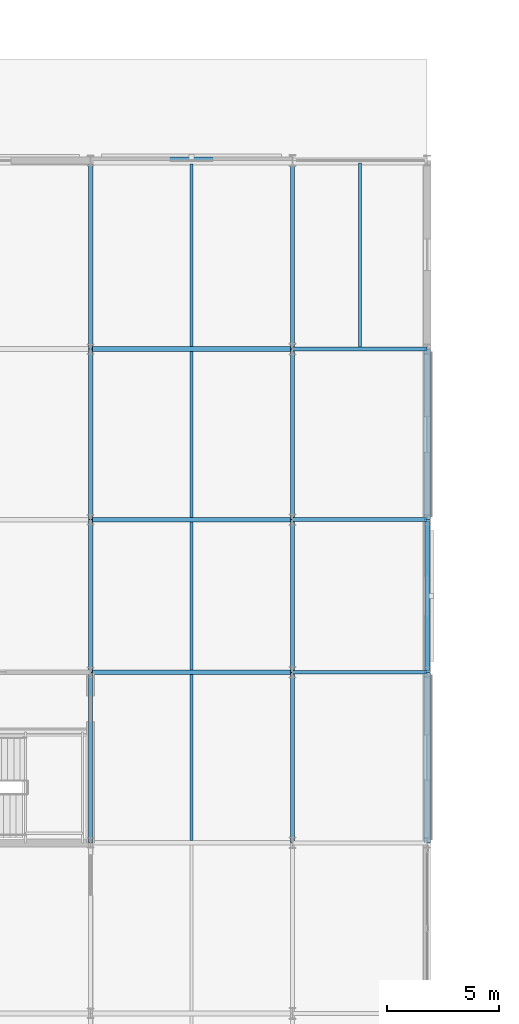
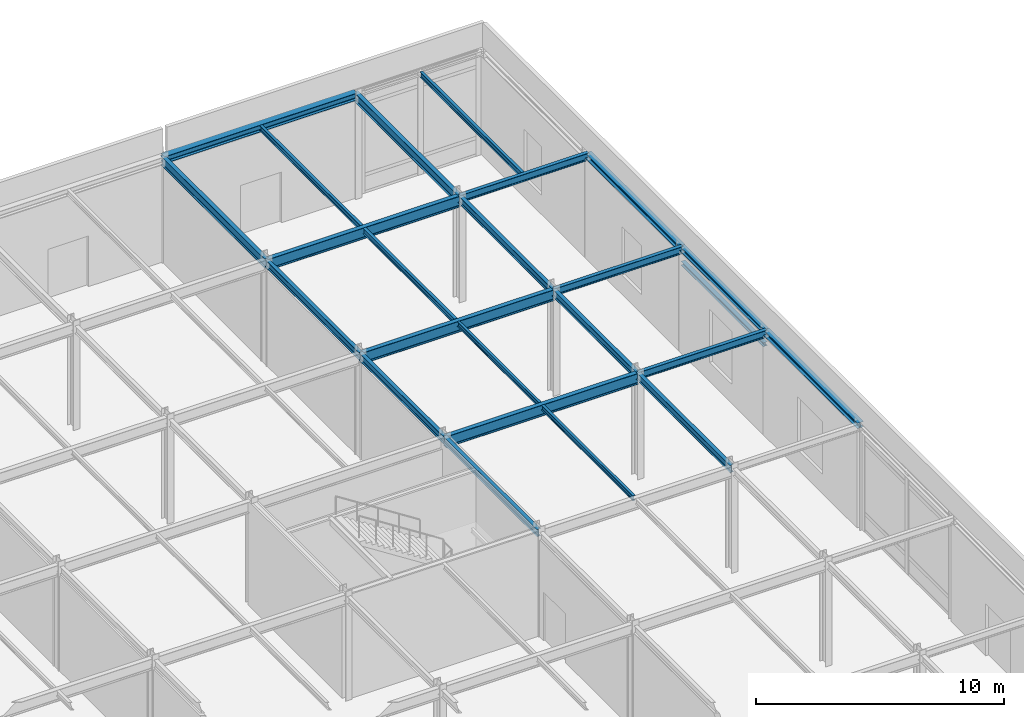
# One storey, part 54 of 89: 24 beams.
"""IFC4 building model written with IfcOpenShell, lengths in metres."""

from ifc_helpers import new_model, si_unit, direction, frame, origin, origin_2d, place, context, subcontext, project, spatial, i_section, extrude, material, material_profile, profile_set, type_object, element, save


model = new_model("IFC4")

# Units and contexts
model_context = context("Model", 3, precision=1e-05, world=origin(), true_north=direction((0.0, 1.0)))
body_context = subcontext(model_context, "Body", "Model", "MODEL_VIEW")
ifc_project = project(units=[si_unit("LENGTHUNIT", "METRE"), si_unit("AREAUNIT", "SQUARE_METRE"), si_unit("VOLUMEUNIT", "CUBIC_METRE"), si_unit("PLANEANGLEUNIT", "RADIAN"), si_unit("MASSUNIT", "GRAM", prefix="KILO")], contexts=[model_context])

# Site, building, storey
site_placement = place(None, origin())
site = spatial("IfcSite", under=ifc_project, at=site_placement, CompositionType="ELEMENT")
building_placement = place(site_placement, origin())
building = spatial("IfcBuilding", under=site, at=building_placement, Name="Shalkamar Park Central Library", CompositionType="ELEMENT")
storey_placement = place(building_placement, origin())
storey = spatial("IfcBuildingStorey", under=building, at=storey_placement, Name="L01", CompositionType="ELEMENT", Elevation=0.0)

# Beams
ifc_material = material(Name="Steel S355", Category="steel")
ifc_material_profile_1 = material_profile(ifc_material, i_section(OverallWidth=0.1201171875, OverallDepth=0.239990234375, WebThickness=0.006103515625, FlangeThickness=0.009765625, FilletRadius=0.014892578125, at=origin_2d()), Name="IPE 240")
ifc_profile_set_1 = profile_set([ifc_material_profile_1], Name="Steel S355")
beam_type_1 = type_object("IfcBeamType", Name="Composite Floor Joist IPE240", PredefinedType="JOIST", material=ifc_profile_set_1)
beam_1_placement = place(storey_placement, frame((277.5, 323.702880859375, 5.030029296875), z_axis=(0.0, 1.0, 0.0), x_axis=(-1.0, 0.0, 0.0)))
element("IfcBeam", 1, at=beam_1_placement, inside=storey, type_object=beam_type_1, Name="Composite Joist 20/M-1 (L01)", PredefinedType="JOIST", context=body_context, shape_type="SweptSolid", body=[
    extrude(i_section(OverallWidth=0.1201171875, OverallDepth=0.239990234375, WebThickness=0.006103515625, FlangeThickness=0.009765625, FilletRadius=0.014892578125, at=origin_2d()), origin(), (0.0, 0.0, 1.0), 7.39404296875),
])
beam_2_placement = place(storey_placement, frame((277.5, 331.302978515625, 5.030029296875), z_axis=(0.0, 1.0, 0.0), x_axis=(-1.0, 0.0, 0.0)))
element("IfcBeam", 2, at=beam_2_placement, inside=storey, type_object=beam_type_1, Name="Composite Joist 20/N-1 (L01)", PredefinedType="JOIST", context=body_context, shape_type="SweptSolid", body=[
    extrude(i_section(OverallWidth=0.1201171875, OverallDepth=0.239990234375, WebThickness=0.006103515625, FlangeThickness=0.009765625, FilletRadius=0.014892578125, at=origin_2d()), origin(), (0.0, 0.0, 1.0), 6.593994140625),
])
ifc_material_profile_2 = material_profile(ifc_material, i_section(OverallWidth=0.135009765625, OverallDepth=0.27001953125, WebThickness=0.006591796875, FlangeThickness=0.01025390625, FilletRadius=0.014892578125, at=origin_2d()), Name="IPE 270")
ifc_profile_set_2 = profile_set([ifc_material_profile_2], Name="Steel S355")
beam_type_2 = type_object("IfcBeamType", Name="Composite Floor Joist IPE270", PredefinedType="JOIST", material=ifc_profile_set_2)
beam_3_placement = place(storey_placement, frame((277.5, 338.10302734375, 5.014892578125), z_axis=(0.0, 1.0, 0.0), x_axis=(-1.0, 0.0, 0.0)))
element("IfcBeam", 3, at=beam_3_placement, inside=storey, type_object=beam_type_2, Name="Composite Joist 20/P-1 (L01)", PredefinedType="JOIST", context=body_context, shape_type="SweptSolid", body=[
    extrude(i_section(OverallWidth=0.135009765625, OverallDepth=0.27001953125, WebThickness=0.006591796875, FlangeThickness=0.01025390625, FilletRadius=0.014892578125, at=origin_2d()), origin(), (0.0, 0.0, 1.0), 7.39404296875),
])
beam_4_placement = place(storey_placement, frame((277.5, 345.702880859375, 5.014892578125), z_axis=(0.0, 1.0, 0.0), x_axis=(-1.0, 0.0, 0.0)))
element("IfcBeam", 4, at=beam_4_placement, inside=storey, type_object=beam_type_2, Name="Composite Joist 20/Q-1 (L01)", PredefinedType="JOIST", context=body_context, shape_type="SweptSolid", body=[
    extrude(i_section(OverallWidth=0.135009765625, OverallDepth=0.27001953125, WebThickness=0.006591796875, FlangeThickness=0.01025390625, FilletRadius=0.014892578125, at=origin_2d()), origin(), (0.0, 0.0, 1.0), 8.149169921875),
])
beam_5_placement = place(storey_placement, frame((285.0, 345.68310546875, 5.014892578125), z_axis=(0.0, 1.0, 0.0), x_axis=(-1.0, 0.0, 0.0)))
element("IfcBeam", 5, at=beam_5_placement, inside=storey, type_object=beam_type_2, Name="Composite Joist 21/Q-1 (L01)", PredefinedType="JOIST", context=body_context, shape_type="SweptSolid", body=[
    extrude(i_section(OverallWidth=0.135009765625, OverallDepth=0.27001953125, WebThickness=0.006591796875, FlangeThickness=0.01025390625, FilletRadius=0.014892578125, at=origin_2d()), origin(), (0.0, 0.0, 1.0), 8.198974609375),
])
ifc_material_profile_3 = material_profile(ifc_material, i_section(OverallWidth=0.199951171875, OverallDepth=0.18994140625, WebThickness=0.006591796875, FlangeThickness=0.010009765625, FilletRadius=0.01806640625, at=origin_2d()), Name="HEA 200")
ifc_profile_set_3 = profile_set([ifc_material_profile_3], Name="Steel S355")
beam_type_3 = type_object("IfcBeamType", Name="Opening Lintel Beam HEA200", PredefinedType="LINTEL", material=ifc_profile_set_3)
beam_6_placement = place(storey_placement, frame((288.0, 331.280029296875, 4.35009765625), z_axis=(0.0, 1.0, 0.0), x_axis=(-1.0, 0.0, 0.0)))
element("IfcBeam", 6, at=beam_6_placement, inside=storey, type_object=beam_type_3, Name="Opening Lintel L01-25", PredefinedType="LINTEL", context=body_context, shape_type="SweptSolid", body=[
    extrude(i_section(OverallWidth=0.199951171875, OverallDepth=0.18994140625, WebThickness=0.006591796875, FlangeThickness=0.010009765625, FilletRadius=0.01806640625, at=origin_2d()), origin(), (0.0, 0.0, 1.0), 6.639892578125),
])
ifc_material_profile_4 = material_profile(ifc_material, i_section(OverallWidth=0.239990234375, OverallDepth=0.22998046875, WebThickness=0.007568359375, FlangeThickness=0.011962890625, FilletRadius=0.02099609375, at=origin_2d()), Name="HEA 240")
ifc_profile_set_4 = profile_set([ifc_material_profile_4], Name="Steel S355")
beam_type_4 = type_object("IfcBeamType", Name="Perimeter Spandrel Beam HEA240", PredefinedType="SPANDREL", material=ifc_profile_set_4)
beam_7_placement = place(storey_placement, frame((288.0, 331.199951171875, 5.034912109375), z_axis=(0.0, 1.0, 0.0), x_axis=(-1.0, 0.0, 0.0)))
element("IfcBeam", 7, at=beam_7_placement, inside=storey, type_object=beam_type_4, Name="Beam 22:N-P (L01)", PredefinedType="SPANDREL", context=body_context, shape_type="SweptSolid", body=[
    extrude(i_section(OverallWidth=0.239990234375, OverallDepth=0.22998046875, WebThickness=0.007568359375, FlangeThickness=0.011962890625, FilletRadius=0.02099609375, at=origin_2d()), origin(), (0.0, 0.0, 1.0), 6.800048828125),
])
ifc_material_profile_5 = material_profile(ifc_material, i_section(OverallWidth=0.280029296875, OverallDepth=0.27001953125, WebThickness=0.008056640625, FlangeThickness=0.012939453125, FilletRadius=0.02392578125, at=origin_2d()), Name="HEA 280")
ifc_profile_set_5 = profile_set([ifc_material_profile_5], Name="Steel S355")
beam_type_5 = type_object("IfcBeamType", Name="Perimeter Spandrel Beam HEA280", PredefinedType="SPANDREL", material=ifc_profile_set_5)
beam_8_placement = place(storey_placement, frame((288.0, 323.60009765625, 5.014892578125), z_axis=(0.0, 1.0, 0.0), x_axis=(-1.0, 0.0, 0.0)))
element("IfcBeam", 8, at=beam_8_placement, inside=storey, type_object=beam_type_5, Name="Beam 22:M-N (L01)", PredefinedType="SPANDREL", context=body_context, shape_type="SweptSolid", body=[
    extrude(i_section(OverallWidth=0.280029296875, OverallDepth=0.27001953125, WebThickness=0.008056640625, FlangeThickness=0.012939453125, FilletRadius=0.02392578125, at=origin_2d()), origin(), (0.0, 0.0, 1.0), 7.599853515625),
])
beam_9_placement = place(storey_placement, frame((288.0, 338.0, 5.014892578125), z_axis=(0.0, 1.0, 0.0), x_axis=(-1.0, 0.0, 0.0)))
element("IfcBeam", 9, at=beam_9_placement, inside=storey, type_object=beam_type_5, Name="Beam 22:P-Q (L01)", PredefinedType="SPANDREL", context=body_context, shape_type="SweptSolid", body=[
    extrude(i_section(OverallWidth=0.280029296875, OverallDepth=0.27001953125, WebThickness=0.008056640625, FlangeThickness=0.012939453125, FilletRadius=0.02392578125, at=origin_2d()), origin(), (0.0, 0.0, 1.0), 7.60009765625),
])
ifc_material_profile_6 = material_profile(ifc_material, i_section(OverallWidth=0.300048828125, OverallDepth=0.35009765625, WebThickness=0.010009765625, FlangeThickness=0.017578125, FilletRadius=0.027099609375, at=origin_2d()), Name="HEA 360")
ifc_profile_set_6 = profile_set([ifc_material_profile_6], Name="Steel S355")
beam_type_6 = type_object("IfcBeamType", Name="Perimeter Spandrel Beam HEA360", PredefinedType="SPANDREL", material=ifc_profile_set_6)
beam_10_placement = place(storey_placement, frame((273.0, 354.0, 4.97509765625), z_axis=(1.0, 0.0, 0.0), x_axis=(0.0, 1.0, 0.0)))
element("IfcBeam", 10, at=beam_10_placement, inside=storey, type_object=beam_type_6, Name="Beam R:20-21 (L01)", PredefinedType="SPANDREL", context=body_context, shape_type="SweptSolid", body=[
    extrude(i_section(OverallWidth=0.300048828125, OverallDepth=0.35009765625, WebThickness=0.010009765625, FlangeThickness=0.017578125, FilletRadius=0.027099609375, at=origin_2d()), origin(), (0.0, 0.0, 1.0), 9.0),
])
ifc_material_profile_7 = material_profile(ifc_material, i_section(OverallWidth=0.169921875, OverallDepth=0.360107421875, WebThickness=0.008056640625, FlangeThickness=0.0126953125, FilletRadius=0.01806640625, at=origin_2d()), Name="IPE 360")
ifc_profile_set_7 = profile_set([ifc_material_profile_7], Name="Steel S355")
beam_type_7 = type_object("IfcBeamType", Name="Primary Girder IPE360", PredefinedType="BEAM", material=ifc_profile_set_7)
for number, where, z_axis, x_axis, name in (
    (11, (282.0, 331.199951171875, 4.969970703125), (1.0, 0.0, 0.0), (0.0, 1.0, 0.0), "Beam N:21-22 (L01)"),
    (12, (282.0, 338.0, 4.969970703125), (1.0, 0.0, 0.0), (0.0, 1.0, 0.0), "Beam P:21-22 (L01)"),
    (13, (282.0, 345.60009765625, 4.969970703125), (1.0, 0.0, 0.0), (0.0, 1.0, 0.0), "Beam Q:21-22 (L01)"),
):
    element("IfcBeam", number, at=place(storey_placement, frame(where, z_axis=z_axis, x_axis=x_axis)), inside=storey, type_object=beam_type_7, Name=name, PredefinedType="BEAM", context=body_context, shape_type="SweptSolid", body=[
        extrude(i_section(OverallWidth=0.169921875, OverallDepth=0.360107421875, WebThickness=0.008056640625, FlangeThickness=0.0126953125, FilletRadius=0.01806640625, at=origin_2d()), origin(), (0.0, 0.0, 1.0), 6.0),
    ])
beam_11_placement = place(storey_placement, frame((273.0, 323.60009765625, 4.9599609375), z_axis=(0.0, 1.0, 0.0), x_axis=(-1.0, 0.0, 0.0)))
element("IfcBeam", 14, at=beam_11_placement, inside=storey, type_object=beam_type_7, Name="Beam 20:M-N (L01)", PredefinedType="BEAM", context=body_context, shape_type="SweptSolid", body=[
    extrude(i_section(OverallWidth=0.169921875, OverallDepth=0.360107421875, WebThickness=0.008056640625, FlangeThickness=0.0126953125, FilletRadius=0.01806640625, at=origin_2d()), origin(), (0.0, 0.0, 1.0), 7.599853515625),
])
beam_12_placement = place(storey_placement, frame((273.0, 331.199951171875, 4.9599609375), z_axis=(0.0, 1.0, 0.0), x_axis=(-1.0, 0.0, 0.0)))
element("IfcBeam", 15, at=beam_12_placement, inside=storey, type_object=beam_type_7, Name="Beam 20:N-P (L01)", PredefinedType="BEAM", context=body_context, shape_type="SweptSolid", body=[
    extrude(i_section(OverallWidth=0.169921875, OverallDepth=0.360107421875, WebThickness=0.008056640625, FlangeThickness=0.0126953125, FilletRadius=0.01806640625, at=origin_2d()), origin(), (0.0, 0.0, 1.0), 6.800048828125),
])
beam_13_placement = place(storey_placement, frame((273.0, 338.0, 4.9599609375), z_axis=(0.0, 1.0, 0.0), x_axis=(-1.0, 0.0, 0.0)))
element("IfcBeam", 16, at=beam_13_placement, inside=storey, type_object=beam_type_7, Name="Beam 20:P-Q (L01)", PredefinedType="BEAM", context=body_context, shape_type="SweptSolid", body=[
    extrude(i_section(OverallWidth=0.169921875, OverallDepth=0.360107421875, WebThickness=0.008056640625, FlangeThickness=0.0126953125, FilletRadius=0.01806640625, at=origin_2d()), origin(), (0.0, 0.0, 1.0), 7.60009765625),
])
beam_14_placement = place(storey_placement, frame((282.0, 323.60009765625, 4.969970703125), z_axis=(0.0, 1.0, 0.0), x_axis=(-1.0, 0.0, 0.0)))
element("IfcBeam", 17, at=beam_14_placement, inside=storey, type_object=beam_type_7, Name="Beam 21:M-N (L01)", PredefinedType="BEAM", context=body_context, shape_type="SweptSolid", body=[
    extrude(i_section(OverallWidth=0.169921875, OverallDepth=0.360107421875, WebThickness=0.008056640625, FlangeThickness=0.0126953125, FilletRadius=0.01806640625, at=origin_2d()), origin(), (0.0, 0.0, 1.0), 7.599853515625),
])
beam_15_placement = place(storey_placement, frame((282.0, 331.199951171875, 4.969970703125), z_axis=(0.0, 1.0, 0.0), x_axis=(-1.0, 0.0, 0.0)))
element("IfcBeam", 18, at=beam_15_placement, inside=storey, type_object=beam_type_7, Name="Beam 21:N-P (L01)", PredefinedType="BEAM", context=body_context, shape_type="SweptSolid", body=[
    extrude(i_section(OverallWidth=0.169921875, OverallDepth=0.360107421875, WebThickness=0.008056640625, FlangeThickness=0.0126953125, FilletRadius=0.01806640625, at=origin_2d()), origin(), (0.0, 0.0, 1.0), 6.800048828125),
])
beam_16_placement = place(storey_placement, frame((282.0, 338.0, 4.969970703125), z_axis=(0.0, 1.0, 0.0), x_axis=(-1.0, 0.0, 0.0)))
element("IfcBeam", 19, at=beam_16_placement, inside=storey, type_object=beam_type_7, Name="Beam 21:P-Q (L01)", PredefinedType="BEAM", context=body_context, shape_type="SweptSolid", body=[
    extrude(i_section(OverallWidth=0.169921875, OverallDepth=0.360107421875, WebThickness=0.008056640625, FlangeThickness=0.0126953125, FilletRadius=0.01806640625, at=origin_2d()), origin(), (0.0, 0.0, 1.0), 7.60009765625),
])
ifc_material_profile_8 = material_profile(ifc_material, i_section(OverallWidth=0.18994140625, OverallDepth=0.449951171875, WebThickness=0.009521484375, FlangeThickness=0.0146484375, FilletRadius=0.02099609375, at=origin_2d()), Name="IPE 450")
ifc_profile_set_8 = profile_set([ifc_material_profile_8], Name="Steel S355")
beam_type_8 = type_object("IfcBeamType", Name="Primary Girder IPE450", PredefinedType="BEAM", material=ifc_profile_set_8)
for number, where, z_axis, x_axis, name in (
    (20, (273.0, 345.60009765625, 4.925048828125), (0.0, 1.0, 0.0), (-1.0, 0.0, 0.0), "Beam 20:Q-R (L01)"),
    (21, (282.0, 345.60009765625, 4.925048828125), (0.0, 1.0, 0.0), (-1.0, 0.0, 0.0), "Beam 21:Q-R (L01)"),
):
    element("IfcBeam", number, at=place(storey_placement, frame(where, z_axis=z_axis, x_axis=x_axis)), inside=storey, type_object=beam_type_8, Name=name, PredefinedType="BEAM", context=body_context, shape_type="SweptSolid", body=[
        extrude(i_section(OverallWidth=0.18994140625, OverallDepth=0.449951171875, WebThickness=0.009521484375, FlangeThickness=0.0146484375, FilletRadius=0.02099609375, at=origin_2d()), origin(), (0.0, 0.0, 1.0), 8.39990234375),
    ])
ifc_material_profile_9 = material_profile(ifc_material, i_section(OverallWidth=0.2099609375, OverallDepth=0.550048828125, WebThickness=0.010986328125, FlangeThickness=0.01708984375, FilletRadius=0.02392578125, at=origin_2d()), Name="IPE 550")
ifc_profile_set_9 = profile_set([ifc_material_profile_9], Name="Steel S355")
beam_type_9 = type_object("IfcBeamType", Name="Primary Girder IPE550", PredefinedType="BEAM", material=ifc_profile_set_9)
for number, where, z_axis, x_axis, name in (
    (22, (273.0, 331.199951171875, 4.864990234375), (1.0, 0.0, 0.0), (0.0, 1.0, 0.0), "Beam N:20-21 (L01)"),
    (23, (273.0, 338.0, 4.864990234375), (1.0, 0.0, 0.0), (0.0, 1.0, 0.0), "Beam P:20-21 (L01)"),
    (24, (273.0, 345.60009765625, 4.875), (1.0, 0.0, 0.0), (0.0, 1.0, 0.0), "Beam Q:20-21 (L01)"),
):
    element("IfcBeam", number, at=place(storey_placement, frame(where, z_axis=z_axis, x_axis=x_axis)), inside=storey, type_object=beam_type_9, Name=name, PredefinedType="BEAM", context=body_context, shape_type="SweptSolid", body=[
        extrude(i_section(OverallWidth=0.2099609375, OverallDepth=0.550048828125, WebThickness=0.010986328125, FlangeThickness=0.01708984375, FilletRadius=0.02392578125, at=origin_2d()), origin(), (0.0, 0.0, 1.0), 9.0),
    ])

save(model, "model.ifc")
